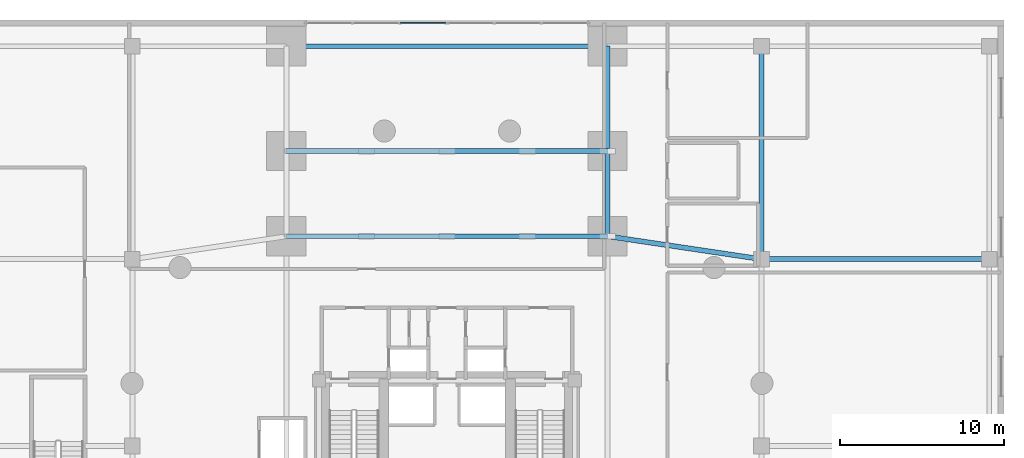
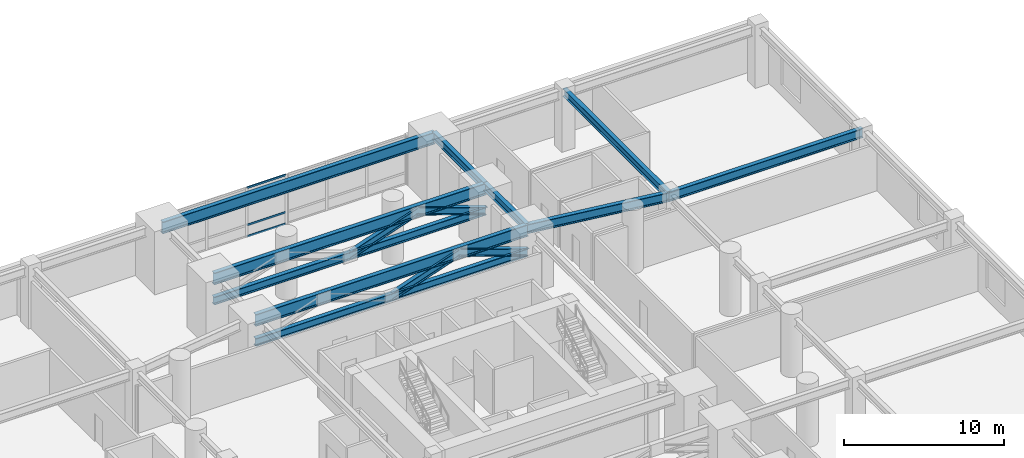
# One storey, part 11 of 17: 9 members, 8 beams, 1 element without a shape of its own.
"""IFC4 building model written with IfcOpenShell, lengths in metres."""

from ifc_helpers import new_model, si_unit, direction, frame, origin, origin_2d, place, context, subcontext, project, spatial, hollow_rectangle, i_section, extrude, material, layer, layer_set, material_profile, profile_set, type_object, element, aggregate, save


model = new_model("IFC4")

# Units and contexts
model_context = context("Model", 3, precision=1e-05, world=origin(), true_north=direction((0.0, 1.0)))
body_context = subcontext(model_context, "Body", "Model", "MODEL_VIEW")
ifc_project = project(units=[si_unit("LENGTHUNIT", "METRE"), si_unit("AREAUNIT", "SQUARE_METRE"), si_unit("VOLUMEUNIT", "CUBIC_METRE"), si_unit("PLANEANGLEUNIT", "RADIAN"), si_unit("MASSUNIT", "GRAM", prefix="KILO"), si_unit("THERMODYNAMICTEMPERATUREUNIT", "KELVIN"), si_unit("POWERUNIT", "WATT")], contexts=[model_context])

# Site, building, storey
site_placement = place(None, origin())
site = spatial("IfcSite", under=ifc_project, at=site_placement, CompositionType="ELEMENT")
building_placement = place(site_placement, origin())
building = spatial("IfcBuilding", under=site, at=building_placement, Name="Ocrelia Relay Tower", CompositionType="ELEMENT")
storey_placement = place(building_placement, frame((0.0, 0.0, 20.39990234375)))
storey = spatial("IfcBuildingStorey", under=building, at=storey_placement, Name="L04", CompositionType="ELEMENT", Elevation=20.39990234375)

# Beams
ifc_material_1 = material(Name="Steel S355", Category="steel")
ifc_material_profile_1 = material_profile(ifc_material_1, i_section(OverallWidth=0.300048828125, OverallDepth=0.60009765625, WebThickness=0.015380859375, FlangeThickness=0.030029296875, FilletRadius=0.027099609375, at=origin_2d()), Name="HEB 600")
ifc_profile_set_1 = profile_set([ifc_material_profile_1], Name="Steel S355")
beam_type_1 = type_object("IfcBeamType", Name="BM-HEB600", PredefinedType="BEAM", material=ifc_profile_set_1)
beam_1_placement = place(storey_placement, frame((53.199951171875, 37.39990234375, 4.18017578125), z_axis=(0.0, 1.0, 0.0), x_axis=(-1.0, 0.0, 0.0)))
element("IfcBeam", 1, at=beam_1_placement, inside=storey, type_object=beam_type_1, Name="L04 Podium Span Girder IE-4", PredefinedType="BEAM", context=body_context, shape_type="SweptSolid", body=[
    extrude(i_section(OverallWidth=0.300048828125, OverallDepth=0.60009765625, WebThickness=0.015380859375, FlangeThickness=0.030029296875, FilletRadius=0.027099609375, at=origin_2d()), origin(), (0.0, 0.0, 1.0), 13.0),
])
beam_2_placement = place(storey_placement, frame((43.800048828125, 38.800048828125, 4.18017578125), z_axis=(0.0, 1.0, 0.0), x_axis=(-1.0, 0.0, 0.0)))
element("IfcBeam", 2, at=beam_2_placement, inside=storey, type_object=beam_type_1, Name="L04 Pier Line Tie Girder AE-4", PredefinedType="BEAM", context=body_context, shape_type="SweptSolid", body=[
    extrude(i_section(OverallWidth=0.300048828125, OverallDepth=0.60009765625, WebThickness=0.015380859375, FlangeThickness=0.030029296875, FilletRadius=0.027099609375, at=origin_2d()), origin(), (0.0, 0.0, 1.0), 5.199951171875),
])
beam_3_placement = place(storey_placement, frame((43.800048828125, 44.0, 4.18017578125), z_axis=(0.0, 1.0, 0.0), x_axis=(-1.0, 0.0, 0.0)))
element("IfcBeam", 3, at=beam_3_placement, inside=storey, type_object=beam_type_1, Name="L04 Pier Line Tie Girder AE-5", PredefinedType="BEAM", context=body_context, shape_type="SweptSolid", body=[
    extrude(i_section(OverallWidth=0.300048828125, OverallDepth=0.60009765625, WebThickness=0.015380859375, FlangeThickness=0.030029296875, FilletRadius=0.027099609375, at=origin_2d()), origin(), (0.0, 0.0, 1.0), 6.39990234375),
])
ifc_material_profile_2 = material_profile(ifc_material_1, i_section(OverallWidth=0.300048828125, OverallDepth=0.699951171875, WebThickness=0.01708984375, FlangeThickness=0.031982421875, FilletRadius=0.027099609375, at=origin_2d()), Name="HEB 700")
ifc_profile_set_2 = profile_set([ifc_material_profile_2], Name="Steel S355")
beam_type_2 = type_object("IfcBeamType", Name="BM-HEB700", PredefinedType="BEAM", material=ifc_profile_set_2)
beam_4_placement = place(storey_placement, frame((43.800048828125, 38.800048828125, 4.130126953125), z_axis=(0.989087708935, -0.14732787935, 0.0), x_axis=(0.14732787935, 0.989087708935, 0.0)))
element("IfcBeam", 4, at=beam_4_placement, inside=storey, type_object=beam_type_2, Name="L04 East Inner Podium Girder M2", PredefinedType="BEAM", context=body_context, shape_type="SweptSolid", body=[
    extrude(i_section(OverallWidth=0.300048828125, OverallDepth=0.699951171875, WebThickness=0.01708984375, FlangeThickness=0.031982421875, FilletRadius=0.027099609375, at=origin_2d()), origin(), (0.0, 0.0, 1.0), 9.503662109375),
])
beam_5_placement = place(storey_placement, frame((53.199951171875, 37.39990234375, 4.130126953125), z_axis=(1.0, 0.0, 0.0), x_axis=(0.0, 1.0, 0.0)))
element("IfcBeam", 5, at=beam_5_placement, inside=storey, type_object=beam_type_2, Name="L04 East Outer Podium Girder M2", PredefinedType="BEAM", context=body_context, shape_type="SweptSolid", body=[
    extrude(i_section(OverallWidth=0.300048828125, OverallDepth=0.699951171875, WebThickness=0.01708984375, FlangeThickness=0.031982421875, FilletRadius=0.027099609375, at=origin_2d()), origin(), (0.0, 0.0, 1.0), 13.900146484375),
])
ifc_material_profile_3 = material_profile(ifc_material_1, i_section(OverallWidth=0.300048828125, OverallDepth=0.89990234375, WebThickness=0.0185546875, FlangeThickness=0.034912109375, FilletRadius=0.030029296875, at=origin_2d()), Name="HEB 900")
ifc_profile_set_3 = profile_set([ifc_material_profile_3], Name="Steel S355")
beam_type_3 = type_object("IfcBeamType", Name="BM-HEB900", PredefinedType="BEAM", material=ifc_profile_set_3)
for number, where, z_axis, x_axis, name in (
    (6, (24.199951171875, 38.800048828125, 4.030029296875), (1.0, 0.0, 0.0), (0.0, 1.0, 0.0), "L04 Portal Arch Span Transfer Girder G5"),
    (7, (24.199951171875, 44.0, 4.030029296875), (1.0, 0.0, 0.0), (0.0, 1.0, 0.0), "L04 Portal Arch Span Transfer Girder G6"),
    (8, (24.199951171875, 50.39990234375, 4.030029296875), (1.0, 0.0, 0.0), (0.0, 1.0, 0.0), "L04 Portal Arch Span Transfer Girder G7"),
):
    element("IfcBeam", number, at=place(storey_placement, frame(where, z_axis=z_axis, x_axis=x_axis)), inside=storey, type_object=beam_type_3, Name=name, PredefinedType="BEAM", context=body_context, shape_type="SweptSolid", body=[
        extrude(i_section(OverallWidth=0.300048828125, OverallDepth=0.89990234375, WebThickness=0.0185546875, FlangeThickness=0.034912109375, FilletRadius=0.030029296875, at=origin_2d()), origin(), (0.0, 0.0, 1.0), 19.60009765625),
    ])

# Curtain wall, members
ifc_material_2 = material(Name="Aluminium and solar-control low-E glass", Category="aluminium")
ifc_layer = layer(ifc_material_2, 0.179931640625, Name="Aluminium and solar-control low-E glass")
ifc_layer_set = layer_set([ifc_layer], Name="Aluminium and solar-control low-E glass")
curtain_wall_type = type_object("IfcCurtainWallType", Name="CW-SYS-POD-GALL", PredefinedType="NOTDEFINED", material=ifc_layer_set)
curtain_wall_placement = place(storey_placement, origin())
curtain_wall = element("IfcCurtainWall", 9, at=curtain_wall_placement, inside=storey, type_object=curtain_wall_type, Name="L04 North Over-Arch Curtain Wall West", PredefinedType="NOTDEFINED")
ifc_material_3 = material(Name="Anodised bronze aluminium", Category="aluminium")
ifc_material_profile_4 = material_profile(ifc_material_3, hollow_rectangle(XDim=0.06494140625, YDim=0.139892578125, WallThickness=0.0048828125, at=origin_2d()), Name="CW-TRN-140x65")
ifc_profile_set_4 = profile_set([ifc_material_profile_4], Name="Anodised bronze aluminium")
member_type_1 = type_object("IfcMemberType", Name="CW-SYS-POD-GALL-TRN", PredefinedType="USERDEFINED", material=ifc_profile_set_4)
member_1_placement = place(storey_placement, frame((31.151611328125, 51.820068359375, 0.03271484375), z_axis=(1.0, 0.0, 0.0), x_axis=(0.0, 1.0, 0.0)))
member_1 = element("IfcMember", 10, at=member_1_placement, type_object=member_type_1, Name="CW-PG transom 3.1", ObjectType="TRANSOM", PredefinedType="USERDEFINED", context=body_context, shape_type="SweptSolid", body=[
    extrude(hollow_rectangle(XDim=0.06494140625, YDim=0.139892578125, WallThickness=0.0048828125, at=origin_2d()), origin(), (0.0, 0.0, 1.0), 2.7783203125),
])
member_2_placement = place(storey_placement, frame((31.151611328125, 51.820068359375, 0.900146484375), z_axis=(1.0, 0.0, 0.0), x_axis=(0.0, 1.0, 0.0)))
member_2 = element("IfcMember", 11, at=member_2_placement, type_object=member_type_1, Name="CW-PG transom 3.2", ObjectType="TRANSOM", PredefinedType="USERDEFINED", context=body_context, shape_type="SweptSolid", body=[
    extrude(hollow_rectangle(XDim=0.06494140625, YDim=0.139892578125, WallThickness=0.0048828125, at=origin_2d()), origin(), (0.0, 0.0, 1.0), 2.7783203125),
])
member_3_placement = place(storey_placement, frame((31.151611328125, 51.820068359375, 3.7275390625), z_axis=(1.0, 0.0, 0.0), x_axis=(0.0, 1.0, 0.0)))
member_3 = element("IfcMember", 12, at=member_3_placement, type_object=member_type_1, Name="CW-PG transom 3.3", ObjectType="TRANSOM", PredefinedType="USERDEFINED", context=body_context, shape_type="SweptSolid", body=[
    extrude(hollow_rectangle(XDim=0.06494140625, YDim=0.139892578125, WallThickness=0.0048828125, at=origin_2d()), origin(), (0.0, 0.0, 1.0), 2.7783203125),
])
aggregate(curtain_wall, [member_1, member_2, member_3])

# Members
ifc_material_profile_5 = material_profile(ifc_material_1, i_section(OverallWidth=0.300048828125, OverallDepth=0.550048828125, WebThickness=0.014892578125, FlangeThickness=0.029052734375, FilletRadius=0.027099609375, at=origin_2d()), Name="HEB 550")
ifc_profile_set_5 = profile_set([ifc_material_profile_5], Name="Steel S355")
member_type_2 = type_object("IfcMemberType", Name="MB-ARCH-DIAG", PredefinedType="BRACE", material=ifc_profile_set_5)
member_4_placement = place(storey_placement, frame((34.0, 38.800048828125, 2.35009765625), z_axis=(0.945948011629, 0.0, 0.324318299353), x_axis=(0.0, 1.0, 0.0)))
element("IfcMember", 13, at=member_4_placement, inside=storey, type_object=member_type_2, Name="L04 Warren Transfer Truss Diagonal NI-3", PredefinedType="BRACE", context=body_context, shape_type="SweptSolid", body=[
    extrude(i_section(OverallWidth=0.300048828125, OverallDepth=0.550048828125, WebThickness=0.014892578125, FlangeThickness=0.029052734375, FilletRadius=0.027099609375, at=origin_2d()), origin(), (0.0, 0.0, 1.0), 5.179931640625),
])
member_5_placement = place(storey_placement, frame((38.89990234375, 38.800048828125, 4.030029296875), z_axis=(0.945952968798, 0.0, -0.324303840282), x_axis=(0.0, 1.0, 0.0)))
element("IfcMember", 14, at=member_5_placement, inside=storey, type_object=member_type_2, Name="L04 Warren Transfer Truss Diagonal NI-4", PredefinedType="BRACE", context=body_context, shape_type="SweptSolid", body=[
    extrude(i_section(OverallWidth=0.300048828125, OverallDepth=0.550048828125, WebThickness=0.014892578125, FlangeThickness=0.029052734375, FilletRadius=0.027099609375, at=origin_2d()), origin(), (0.0, 0.0, 1.0), 5.18017578125),
])
member_6_placement = place(storey_placement, frame((34.0, 44.0, 2.35009765625), z_axis=(0.945948011629, 0.0, 0.324318299353), x_axis=(0.0, 1.0, 0.0)))
element("IfcMember", 15, at=member_6_placement, inside=storey, type_object=member_type_2, Name="L04 Warren Transfer Truss Diagonal N-3", PredefinedType="BRACE", context=body_context, shape_type="SweptSolid", body=[
    extrude(i_section(OverallWidth=0.300048828125, OverallDepth=0.550048828125, WebThickness=0.014892578125, FlangeThickness=0.029052734375, FilletRadius=0.027099609375, at=origin_2d()), origin(), (0.0, 0.0, 1.0), 5.179931640625),
])
member_7_placement = place(storey_placement, frame((38.89990234375, 44.0, 4.030029296875), z_axis=(0.945952968798, 0.0, -0.324303840282), x_axis=(0.0, 1.0, 0.0)))
element("IfcMember", 16, at=member_7_placement, inside=storey, type_object=member_type_2, Name="L04 Warren Transfer Truss Diagonal N-4", PredefinedType="BRACE", context=body_context, shape_type="SweptSolid", body=[
    extrude(i_section(OverallWidth=0.300048828125, OverallDepth=0.550048828125, WebThickness=0.014892578125, FlangeThickness=0.029052734375, FilletRadius=0.027099609375, at=origin_2d()), origin(), (0.0, 0.0, 1.0), 5.18017578125),
])
ifc_material_profile_6 = material_profile(ifc_material_1, i_section(OverallWidth=0.300048828125, OverallDepth=0.60009765625, WebThickness=0.015380859375, FlangeThickness=0.030029296875, FilletRadius=0.027099609375, at=origin_2d()), Name="HEB 600")
ifc_profile_set_6 = profile_set([ifc_material_profile_6], Name="Steel S355")
member_type_3 = type_object("IfcMemberType", Name="MB-TRUSS-CHORD", PredefinedType="CHORD", material=ifc_profile_set_6)
for number, where, z_axis, x_axis, name in (
    (17, (24.199951171875, 38.800048828125, 2.35009765625), (1.0, 0.0, 0.0), (0.0, 1.0, 0.0), "L04 Warren Transfer Truss Chord NI"),
    (18, (24.199951171875, 44.0, 2.35009765625), (1.0, 0.0, 0.0), (0.0, 1.0, 0.0), "L04 Warren Transfer Truss Chord N"),
):
    element("IfcMember", number, at=place(storey_placement, frame(where, z_axis=z_axis, x_axis=x_axis)), inside=storey, type_object=member_type_3, Name=name, PredefinedType="CHORD", context=body_context, shape_type="SweptSolid", body=[
        extrude(i_section(OverallWidth=0.300048828125, OverallDepth=0.60009765625, WebThickness=0.015380859375, FlangeThickness=0.030029296875, FilletRadius=0.027099609375, at=origin_2d()), origin(), (0.0, 0.0, 1.0), 19.60009765625),
    ])

save(model, "model.ifc")
